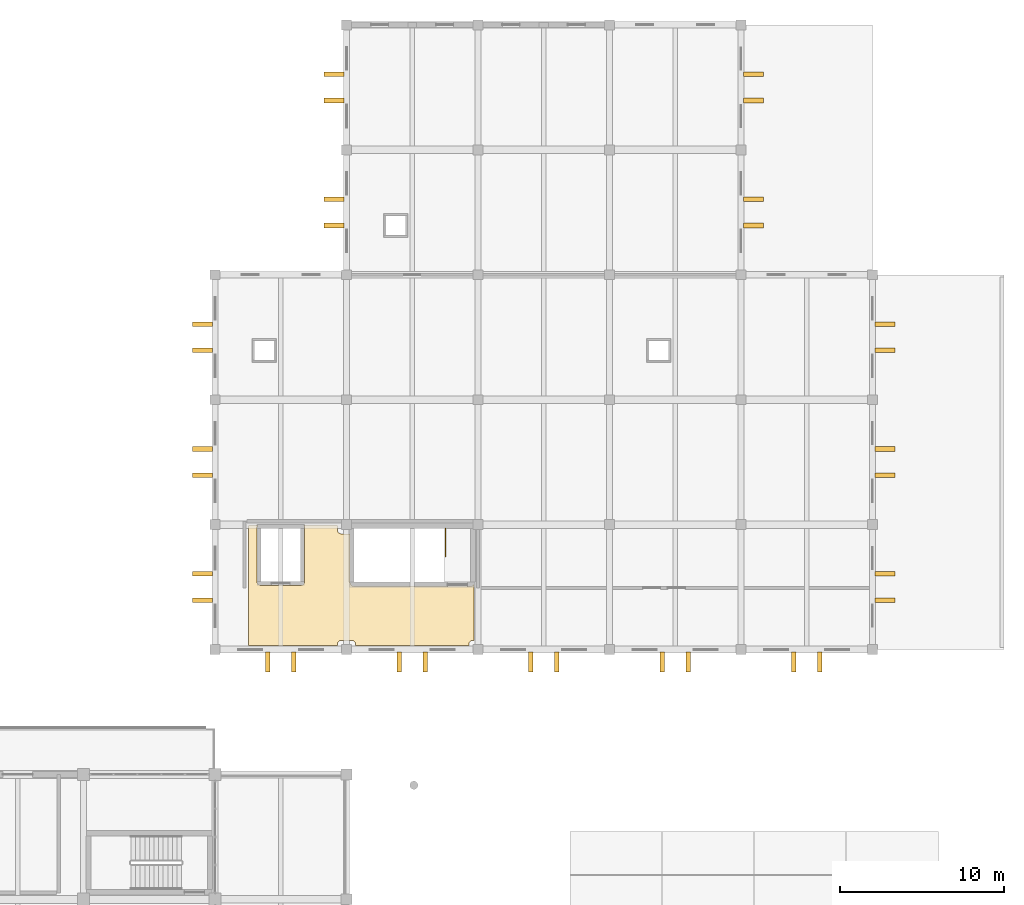
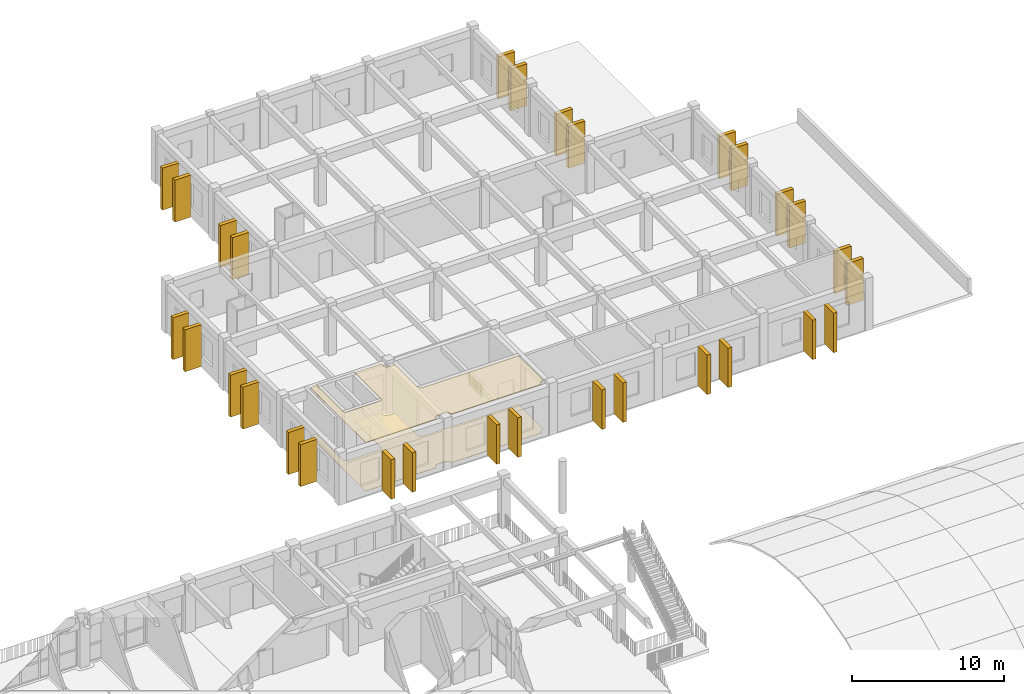
# One storey, part 63 of 63: 30 shading devices, 2 coverings, 1 railing.
"""IFC4 building model written with IfcOpenShell, lengths in metres."""

from ifc_helpers import new_model, si_unit, direction, frame, origin, origin_2d, place, context, subcontext, project, spatial, polyline, rectangle, circle, outline, extrude, material, layer, layer_set, type_object, element, save


model = new_model("IFC4")

# Units and contexts
model_context = context("Model", 3, precision=1e-05, world=origin(), true_north=direction((0.0, 1.0)))
body_context = subcontext(model_context, "Body", "Model", "MODEL_VIEW")
ifc_project = project(units=[si_unit("LENGTHUNIT", "METRE"), si_unit("AREAUNIT", "SQUARE_METRE"), si_unit("VOLUMEUNIT", "CUBIC_METRE"), si_unit("PLANEANGLEUNIT", "RADIAN"), si_unit("MASSUNIT", "GRAM", prefix="KILO")], contexts=[model_context])

# Site, building, storey
site_placement = place(None, origin())
site = spatial("IfcSite", under=ifc_project, at=site_placement, CompositionType="ELEMENT")
building_placement = place(site_placement, origin())
building = spatial("IfcBuilding", under=site, at=building_placement, Name="Zantavel Square City Hall", CompositionType="ELEMENT")
storey_placement = place(building_placement, frame((0.0, 0.0, 14.699951171875)))
storey = spatial("IfcBuildingStorey", under=building, at=storey_placement, Name="L04", CompositionType="ELEMENT", Elevation=14.699951171875)

# Railing
ifc_material_1 = material(Name="Steel ASTM A500 Grade B", Category="steel")
railing_type = type_object("IfcRailingType", Name="Atrium & Gallery Steel Guard Railing 1100mm", PredefinedType="GUARDRAIL", material=ifc_material_1)
railing_placement = place(storey_placement, frame((118.02001953125, 83.3701171875, 0.0)))
element("IfcRailing", 1, at=railing_placement, inside=storey, type_object=railing_type, Name="L04 ST2 top well guard 1", PredefinedType="GUARDRAIL", context=body_context, shape_type="SweptSolid", body=[
    extrude(circle(Radius=0.02392578125, at=origin_2d()), frame((0.0, 0.0, 1.076171875), z_axis=(0.0, -1.0, 0.0), x_axis=(1.0, 0.0, 0.0)), (0.0, 0.0, 1.0), 1.710205078125),
    extrude(rectangle(XDim=0.031982421875, YDim=0.031982421875, at=origin_2d()), frame((0.0, 0.0, 0.080078125), z_axis=(0.0, -1.0, 0.0), x_axis=(1.0, 0.0, 0.0)), (0.0, 0.0, 1.0), 1.710205078125),
    extrude(rectangle(XDim=0.02197265625, YDim=0.02197265625, at=origin_2d()), frame((0.0, -0.08544921875, 0.080078125)), (0.0, 0.0, 1.0), 0.971923828125),
    extrude(rectangle(XDim=0.02197265625, YDim=0.02197265625, at=origin_2d()), frame((0.0, -0.1708984375, 0.080078125)), (0.0, 0.0, 1.0), 0.971923828125),
    extrude(rectangle(XDim=0.02197265625, YDim=0.02197265625, at=origin_2d()), frame((0.0, -0.256591796875, 0.080078125)), (0.0, 0.0, 1.0), 0.971923828125),
    extrude(rectangle(XDim=0.02197265625, YDim=0.02197265625, at=origin_2d()), frame((0.0, -0.342041015625, 0.080078125)), (0.0, 0.0, 1.0), 0.971923828125),
    extrude(rectangle(XDim=0.02197265625, YDim=0.02197265625, at=origin_2d()), frame((0.0, -0.427490234375, 0.080078125)), (0.0, 0.0, 1.0), 0.971923828125),
    extrude(rectangle(XDim=0.02197265625, YDim=0.02197265625, at=origin_2d()), frame((0.0, -0.51318359375, 0.080078125)), (0.0, 0.0, 1.0), 0.971923828125),
    extrude(rectangle(XDim=0.02197265625, YDim=0.02197265625, at=origin_2d()), frame((0.0, -0.5986328125, 0.080078125)), (0.0, 0.0, 1.0), 0.971923828125),
    extrude(rectangle(XDim=0.02197265625, YDim=0.02197265625, at=origin_2d()), frame((0.0, -0.68408203125, 0.080078125)), (0.0, 0.0, 1.0), 0.971923828125),
    extrude(rectangle(XDim=0.02197265625, YDim=0.02197265625, at=origin_2d()), frame((0.0, -0.76953125, 0.080078125)), (0.0, 0.0, 1.0), 0.971923828125),
    extrude(rectangle(XDim=0.02197265625, YDim=0.02197265625, at=origin_2d()), frame((0.0, -0.940673828125, 0.080078125)), (0.0, 0.0, 1.0), 0.971923828125),
    extrude(rectangle(XDim=0.02197265625, YDim=0.02197265625, at=origin_2d()), frame((0.0, -1.026123046875, 0.080078125)), (0.0, 0.0, 1.0), 0.971923828125),
    extrude(rectangle(XDim=0.02197265625, YDim=0.02197265625, at=origin_2d()), frame((0.0, -1.111572265625, 0.080078125)), (0.0, 0.0, 1.0), 0.971923828125),
    extrude(rectangle(XDim=0.02197265625, YDim=0.02197265625, at=origin_2d()), frame((0.0, -1.197265625, 0.080078125)), (0.0, 0.0, 1.0), 0.971923828125),
    extrude(rectangle(XDim=0.02197265625, YDim=0.02197265625, at=origin_2d()), frame((0.0, -1.28271484375, 0.080078125)), (0.0, 0.0, 1.0), 0.971923828125),
    extrude(rectangle(XDim=0.02197265625, YDim=0.02197265625, at=origin_2d()), frame((0.0, -1.3681640625, 0.080078125)), (0.0, 0.0, 1.0), 0.971923828125),
    extrude(rectangle(XDim=0.02197265625, YDim=0.02197265625, at=origin_2d()), frame((0.0, -1.45361328125, 0.080078125)), (0.0, 0.0, 1.0), 0.971923828125),
    extrude(rectangle(XDim=0.02197265625, YDim=0.02197265625, at=origin_2d()), frame((0.0, -1.5390625, 0.080078125)), (0.0, 0.0, 1.0), 0.971923828125),
    extrude(rectangle(XDim=0.02197265625, YDim=0.02197265625, at=origin_2d()), frame((0.0, -1.624755859375, 0.080078125)), (0.0, 0.0, 1.0), 0.971923828125),
    extrude(circle(Radius=0.02099609375, at=origin_2d()), origin(), (0.0, 0.0, 1.0), 1.052001953125),
    extrude(circle(Radius=0.02099609375, at=origin_2d()), frame((0.0, -0.85498046875, 0.0)), (0.0, 0.0, 1.0), 1.052001953125),
    extrude(circle(Radius=0.02099609375, at=origin_2d()), frame((0.0, -1.710205078125, 0.0)), (0.0, 0.0, 1.0), 1.052001953125),
])

# Shading devices
ifc_material_2 = material(Name="Cantera volcanic tuff stone", Category="masonry")
shading_device_type = type_object("IfcShadingDeviceType", Name="Cantera Vertical Solar Shading Pier 280x1240", PredefinedType="USERDEFINED", material=ifc_material_2)
for number, where, z_axis, x_axis, name in (
    (2, (111.239990234375, 101.800048828125, 0.0), (0.0, 0.0, 1.0), (1.0, 0.0, 0.0), "L04 Cantera Solar Pier 061"),
    (3, (111.239990234375, 103.39990234375, 0.0), (0.0, 0.0, 1.0), (1.0, 0.0, 0.0), "L04 Cantera Solar Pier 062"),
    (4, (111.239990234375, 109.39990234375, 0.0), (0.0, 0.0, 1.0), (1.0, 0.0, 0.0), "L04 Cantera Solar Pier 063"),
    (5, (111.239990234375, 111.0, 0.0), (0.0, 0.0, 1.0), (1.0, 0.0, 0.0), "L04 Cantera Solar Pier 064"),
    (6, (136.760009765625, 111.0, 0.0), (0.0, 0.0, 1.0), (1.0, 0.0, 0.0), "L04 Cantera Solar Pier 065"),
    (7, (136.760009765625, 109.39990234375, 0.0), (0.0, 0.0, 1.0), (1.0, 0.0, 0.0), "L04 Cantera Solar Pier 066"),
    (8, (136.760009765625, 103.39990234375, 0.0), (0.0, 0.0, 1.0), (1.0, 0.0, 0.0), "L04 Cantera Solar Pier 067"),
    (9, (136.760009765625, 101.800048828125, 0.0), (0.0, 0.0, 1.0), (1.0, 0.0, 0.0), "L04 Cantera Solar Pier 068"),
    (10, (144.760009765625, 95.800048828125, 0.0), (0.0, 0.0, 1.0), (1.0, 0.0, 0.0), "L04 Cantera Solar Pier 069"),
    (11, (144.760009765625, 94.199951171875, 0.0), (0.0, 0.0, 1.0), (1.0, 0.0, 0.0), "L04 Cantera Solar Pier 070"),
    (12, (144.760009765625, 88.199951171875, 0.0), (0.0, 0.0, 1.0), (1.0, 0.0, 0.0), "L04 Cantera Solar Pier 071"),
    (13, (144.760009765625, 86.60009765625, 0.0), (0.0, 0.0, 1.0), (1.0, 0.0, 0.0), "L04 Cantera Solar Pier 072"),
    (14, (144.760009765625, 80.60009765625, 0.0), (0.0, 0.0, 1.0), (1.0, 0.0, 0.0), "L04 Cantera Solar Pier 073"),
    (15, (144.760009765625, 79.0, 0.0), (0.0, 0.0, 1.0), (1.0, 0.0, 0.0), "L04 Cantera Solar Pier 074"),
):
    element("IfcShadingDevice", number, at=place(storey_placement, frame(where, z_axis=z_axis, x_axis=x_axis)), inside=storey, type_object=shading_device_type, Name=name, ObjectType="FIN", PredefinedType="USERDEFINED", context=body_context, shape_type="SweptSolid", body=[
        extrude(rectangle(XDim=1.239990234375, YDim=0.280029296875, at=origin_2d()), origin(), (0.0, 0.0, 1.0), 3.3701171875),
    ])
for number, where, z_axis, x_axis, name in (
    (16, (140.800048828125, 75.239990234375, 0.0), (0.0, 0.0, 1.0), (1.0, 0.0, 0.0), "L04 Cantera Solar Pier 075"),
    (17, (139.199951171875, 75.239990234375, 0.0), (0.0, 0.0, 1.0), (1.0, 0.0, 0.0), "L04 Cantera Solar Pier 076"),
    (18, (132.800048828125, 75.239990234375, 0.0), (0.0, 0.0, 1.0), (1.0, 0.0, 0.0), "L04 Cantera Solar Pier 077"),
    (19, (131.199951171875, 75.239990234375, 0.0), (0.0, 0.0, 1.0), (1.0, 0.0, 0.0), "L04 Cantera Solar Pier 078"),
    (20, (124.800048828125, 75.239990234375, 0.0), (0.0, 0.0, 1.0), (1.0, 0.0, 0.0), "L04 Cantera Solar Pier 079"),
    (21, (123.199951171875, 75.239990234375, 0.0), (0.0, 0.0, 1.0), (1.0, 0.0, 0.0), "L04 Cantera Solar Pier 080"),
    (22, (116.800048828125, 75.239990234375, 0.0), (0.0, 0.0, 1.0), (1.0, 0.0, 0.0), "L04 Cantera Solar Pier 081"),
    (23, (115.199951171875, 75.239990234375, 0.0), (0.0, 0.0, 1.0), (1.0, 0.0, 0.0), "L04 Cantera Solar Pier 082"),
    (24, (108.800048828125, 75.239990234375, 0.0), (0.0, 0.0, 1.0), (1.0, 0.0, 0.0), "L04 Cantera Solar Pier 083"),
    (25, (107.199951171875, 75.239990234375, 0.0), (0.0, 0.0, 1.0), (1.0, 0.0, 0.0), "L04 Cantera Solar Pier 084"),
):
    element("IfcShadingDevice", number, at=place(storey_placement, frame(where, z_axis=z_axis, x_axis=x_axis)), inside=storey, type_object=shading_device_type, Name=name, ObjectType="FIN", PredefinedType="USERDEFINED", context=body_context, shape_type="SweptSolid", body=[
        extrude(rectangle(XDim=0.280029296875, YDim=1.239990234375, at=origin_2d()), origin(), (0.0, 0.0, 1.0), 3.169921875),
    ])
for number, where, z_axis, x_axis, name in (
    (26, (103.239990234375, 79.0, 0.0), (0.0, 0.0, 1.0), (1.0, 0.0, 0.0), "L04 Cantera Solar Pier 085"),
    (27, (103.239990234375, 80.60009765625, 0.0), (0.0, 0.0, 1.0), (1.0, 0.0, 0.0), "L04 Cantera Solar Pier 086"),
    (28, (103.239990234375, 86.60009765625, 0.0), (0.0, 0.0, 1.0), (1.0, 0.0, 0.0), "L04 Cantera Solar Pier 087"),
    (29, (103.239990234375, 88.199951171875, 0.0), (0.0, 0.0, 1.0), (1.0, 0.0, 0.0), "L04 Cantera Solar Pier 088"),
    (30, (103.239990234375, 94.199951171875, 0.0), (0.0, 0.0, 1.0), (1.0, 0.0, 0.0), "L04 Cantera Solar Pier 089"),
    (31, (103.239990234375, 95.800048828125, 0.0), (0.0, 0.0, 1.0), (1.0, 0.0, 0.0), "L04 Cantera Solar Pier 090"),
):
    element("IfcShadingDevice", number, at=place(storey_placement, frame(where, z_axis=z_axis, x_axis=x_axis)), inside=storey, type_object=shading_device_type, Name=name, ObjectType="FIN", PredefinedType="USERDEFINED", context=body_context, shape_type="SweptSolid", body=[
        extrude(rectangle(XDim=1.239990234375, YDim=0.280029296875, at=origin_2d()), origin(), (0.0, 0.0, 1.0), 3.3701171875),
    ])

# Coverings
ifc_material_3 = material(Name="Terrazzo stone finish", Category="masonry")
ifc_layer_1 = layer(ifc_material_3, 0.02001953125, Name="Terrazzo stone finish")
ifc_layer_set_1 = layer_set([ifc_layer_1], Name="Terrazzo stone finish")
covering_type_1 = type_object("IfcCoveringType", Name="Honed Cantera-Terrazzo Civic Flooring 20mm", PredefinedType="FLOORING", material=ifc_layer_set_1)
covering_1_placement = place(storey_placement, origin())
element("IfcCovering", 32, at=covering_1_placement, inside=storey, type_object=covering_type_1, Name="L04 L04 North-East Lift Lobby Terrazzo Flooring", PredefinedType="FLOORING", context=body_context, shape_type="SweptSolid", body=[
    extrude(outline(polyline([(106.623291015625, 83.52685546875), (106.606689453125, 83.508544921875), (106.592041015625, 83.489013671875), (106.57958984375, 83.4677734375), (106.569091796875, 83.44580078125), (106.560791015625, 83.422607421875), (106.5546875, 83.398681640625), (106.55126953125, 83.37451171875), (106.550048828125, 83.35009765625), (106.550048828125, 80.14990234375), (106.55126953125, 80.12548828125), (106.5546875, 80.101318359375), (106.560791015625, 80.077392578125), (106.569091796875, 80.05419921875), (106.57958984375, 80.0322265625), (106.592041015625, 80.010986328125), (106.606689453125, 79.991455078125), (106.623291015625, 79.97314453125), (106.641357421875, 79.956787109375), (106.6611328125, 79.942138671875), (106.68212890625, 79.929443359375), (106.704345703125, 79.9189453125), (106.727294921875, 79.910888671875), (106.751220703125, 79.90478515625), (106.775390625, 79.901123046875), (106.800048828125, 79.89990234375), (109.199951171875, 79.89990234375), (109.224609375, 79.901123046875), (109.248779296875, 79.90478515625), (109.272705078125, 79.910888671875), (109.295654296875, 79.9189453125), (109.31787109375, 79.929443359375), (109.3388671875, 79.942138671875), (109.358642578125, 79.956787109375), (109.376708984375, 79.97314453125), (109.393310546875, 79.991455078125), (109.407958984375, 80.010986328125), (109.42041015625, 80.0322265625), (109.430908203125, 80.05419921875), (109.439208984375, 80.077392578125), (109.4453125, 80.101318359375), (109.44873046875, 80.12548828125), (109.449951171875, 80.14990234375), (109.449951171875, 83.35009765625), (109.44873046875, 83.37451171875), (109.4453125, 83.398681640625), (109.439208984375, 83.422607421875), (109.430908203125, 83.44580078125), (109.42041015625, 83.4677734375), (109.407958984375, 83.489013671875), (109.393310546875, 83.508544921875), (109.376708984375, 83.52685546875), (109.358642578125, 83.543212890625), (109.349609375, 83.550048828125), (111.43994140625, 83.550048828125), (111.43994140625, 83.2900390625), (111.441162109375, 83.265380859375), (111.44482421875, 83.2412109375), (111.45068359375, 83.21728515625), (111.458984375, 83.1943359375), (111.469482421875, 83.172119140625), (111.482177734375, 83.151123046875), (111.49658203125, 83.13134765625), (111.51318359375, 83.11328125), (111.531494140625, 83.0966796875), (111.551025390625, 83.08203125), (111.572265625, 83.069580078125), (111.59423828125, 83.05908203125), (111.617431640625, 83.05078125), (111.64111328125, 83.044921875), (111.66552734375, 83.041259765625), (111.68994140625, 83.0400390625), (112.219970703125, 83.0400390625), (112.219970703125, 80.10009765625), (112.22119140625, 80.075439453125), (112.224853515625, 80.05126953125), (112.230712890625, 80.02734375), (112.239013671875, 80.00439453125), (112.24951171875, 79.982177734375), (112.26220703125, 79.961181640625), (112.276611328125, 79.94140625), (112.293212890625, 79.923095703125), (112.311279296875, 79.90673828125), (112.3310546875, 79.89208984375), (112.352294921875, 79.87939453125), (112.374267578125, 79.868896484375), (112.3974609375, 79.86083984375), (112.421142578125, 79.854736328125), (112.445556640625, 79.851318359375), (112.469970703125, 79.85009765625), (119.530029296875, 79.85009765625), (119.554443359375, 79.851318359375), (119.578857421875, 79.854736328125), (119.6025390625, 79.86083984375), (119.625732421875, 79.868896484375), (119.647705078125, 79.87939453125), (119.6689453125, 79.89208984375), (119.688720703125, 79.90673828125), (119.706787109375, 79.923095703125), (119.723388671875, 79.94140625), (119.73779296875, 79.961181640625), (119.75, 79.981201171875), (119.75, 76.56005859375), (119.68994140625, 76.56005859375), (119.66552734375, 76.558837890625), (119.64111328125, 76.55517578125), (119.617431640625, 76.54931640625), (119.59423828125, 76.541015625), (119.572265625, 76.530517578125), (119.551025390625, 76.517822265625), (119.531494140625, 76.50341796875), (119.51318359375, 76.48681640625), (119.49658203125, 76.468505859375), (119.482177734375, 76.448974609375), (119.469482421875, 76.427734375), (119.458984375, 76.40576171875), (119.45068359375, 76.382568359375), (119.44482421875, 76.35888671875), (119.441162109375, 76.33447265625), (119.43994140625, 76.31005859375), (119.43994140625, 76.25), (112.56005859375, 76.25), (112.56005859375, 76.31005859375), (112.558837890625, 76.33447265625), (112.55517578125, 76.35888671875), (112.54931640625, 76.382568359375), (112.541015625, 76.40576171875), (112.530517578125, 76.427734375), (112.517822265625, 76.448974609375), (112.50341796875, 76.468505859375), (112.48681640625, 76.48681640625), (112.468505859375, 76.50341796875), (112.448974609375, 76.517822265625), (112.427734375, 76.530517578125), (112.40576171875, 76.541015625), (112.382568359375, 76.54931640625), (112.35888671875, 76.55517578125), (112.33447265625, 76.558837890625), (112.31005859375, 76.56005859375), (111.68994140625, 76.56005859375), (111.66552734375, 76.558837890625), (111.64111328125, 76.55517578125), (111.617431640625, 76.54931640625), (111.59423828125, 76.541015625), (111.572265625, 76.530517578125), (111.551025390625, 76.517822265625), (111.531494140625, 76.50341796875), (111.51318359375, 76.48681640625), (111.49658203125, 76.468505859375), (111.482177734375, 76.448974609375), (111.469482421875, 76.427734375), (111.458984375, 76.40576171875), (111.45068359375, 76.382568359375), (111.44482421875, 76.35888671875), (111.441162109375, 76.33447265625), (111.43994140625, 76.31005859375), (111.43994140625, 76.25), (106.050048828125, 76.25), (106.050048828125, 83.550048828125), (106.650390625, 83.550048828125), (106.641357421875, 83.543212890625), (106.623291015625, 83.52685546875)])), origin(), (0.0, 0.0, 1.0), 0.02001953125),
])
ifc_material_4 = material(Name="Gypsum acoustic stud assembly", Category="masonry")
ifc_layer_2 = layer(ifc_material_4, 0.02490234375, Name="Gypsum acoustic stud assembly")
ifc_layer_set_2 = layer_set([ifc_layer_2], Name="Gypsum acoustic stud assembly")
covering_type_2 = type_object("IfcCoveringType", Name="Perforated Gypsum Acoustic Ceiling 25mm", PredefinedType="CEILING", material=ifc_layer_set_2)
covering_2_placement = place(storey_placement, frame((0.0, 0.0, 3.905029296875)))
element("IfcCovering", 33, at=covering_2_placement, inside=storey, type_object=covering_type_2, Name="L04 L04 North-East Lift Lobby Acoustic Ceiling", PredefinedType="CEILING", context=body_context, shape_type="SweptSolid", body=[
    extrude(outline(polyline([(106.623291015625, 83.52685546875), (106.606689453125, 83.508544921875), (106.592041015625, 83.489013671875), (106.57958984375, 83.4677734375), (106.569091796875, 83.44580078125), (106.560791015625, 83.422607421875), (106.5546875, 83.398681640625), (106.55126953125, 83.37451171875), (106.550048828125, 83.35009765625), (106.550048828125, 80.14990234375), (106.55126953125, 80.12548828125), (106.5546875, 80.101318359375), (106.560791015625, 80.077392578125), (106.569091796875, 80.05419921875), (106.57958984375, 80.0322265625), (106.592041015625, 80.010986328125), (106.606689453125, 79.991455078125), (106.623291015625, 79.97314453125), (106.641357421875, 79.956787109375), (106.6611328125, 79.942138671875), (106.68212890625, 79.929443359375), (106.704345703125, 79.9189453125), (106.727294921875, 79.910888671875), (106.751220703125, 79.90478515625), (106.775390625, 79.901123046875), (106.800048828125, 79.89990234375), (109.199951171875, 79.89990234375), (109.224609375, 79.901123046875), (109.248779296875, 79.90478515625), (109.272705078125, 79.910888671875), (109.295654296875, 79.9189453125), (109.31787109375, 79.929443359375), (109.3388671875, 79.942138671875), (109.358642578125, 79.956787109375), (109.376708984375, 79.97314453125), (109.393310546875, 79.991455078125), (109.407958984375, 80.010986328125), (109.42041015625, 80.0322265625), (109.430908203125, 80.05419921875), (109.439208984375, 80.077392578125), (109.4453125, 80.101318359375), (109.44873046875, 80.12548828125), (109.449951171875, 80.14990234375), (109.449951171875, 83.35009765625), (109.44873046875, 83.37451171875), (109.4453125, 83.398681640625), (109.439208984375, 83.422607421875), (109.430908203125, 83.44580078125), (109.42041015625, 83.4677734375), (109.407958984375, 83.489013671875), (109.393310546875, 83.508544921875), (109.376708984375, 83.52685546875), (109.358642578125, 83.543212890625), (109.349609375, 83.550048828125), (111.43994140625, 83.550048828125), (111.43994140625, 83.2900390625), (111.441162109375, 83.265380859375), (111.44482421875, 83.2412109375), (111.45068359375, 83.21728515625), (111.458984375, 83.1943359375), (111.469482421875, 83.172119140625), (111.482177734375, 83.151123046875), (111.49658203125, 83.13134765625), (111.51318359375, 83.11328125), (111.531494140625, 83.0966796875), (111.551025390625, 83.08203125), (111.572265625, 83.069580078125), (111.59423828125, 83.05908203125), (111.617431640625, 83.05078125), (111.64111328125, 83.044921875), (111.66552734375, 83.041259765625), (111.68994140625, 83.0400390625), (112.219970703125, 83.0400390625), (112.219970703125, 80.10009765625), (112.22119140625, 80.075439453125), (112.224853515625, 80.05126953125), (112.230712890625, 80.02734375), (112.239013671875, 80.00439453125), (112.24951171875, 79.982177734375), (112.26220703125, 79.961181640625), (112.276611328125, 79.94140625), (112.293212890625, 79.923095703125), (112.311279296875, 79.90673828125), (112.3310546875, 79.89208984375), (112.352294921875, 79.87939453125), (112.374267578125, 79.868896484375), (112.3974609375, 79.86083984375), (112.421142578125, 79.854736328125), (112.445556640625, 79.851318359375), (112.469970703125, 79.85009765625), (119.530029296875, 79.85009765625), (119.554443359375, 79.851318359375), (119.578857421875, 79.854736328125), (119.6025390625, 79.86083984375), (119.625732421875, 79.868896484375), (119.647705078125, 79.87939453125), (119.6689453125, 79.89208984375), (119.688720703125, 79.90673828125), (119.706787109375, 79.923095703125), (119.723388671875, 79.94140625), (119.73779296875, 79.961181640625), (119.75, 79.981201171875), (119.75, 76.56005859375), (119.68994140625, 76.56005859375), (119.66552734375, 76.558837890625), (119.64111328125, 76.55517578125), (119.617431640625, 76.54931640625), (119.59423828125, 76.541015625), (119.572265625, 76.530517578125), (119.551025390625, 76.517822265625), (119.531494140625, 76.50341796875), (119.51318359375, 76.48681640625), (119.49658203125, 76.468505859375), (119.482177734375, 76.448974609375), (119.469482421875, 76.427734375), (119.458984375, 76.40576171875), (119.45068359375, 76.382568359375), (119.44482421875, 76.35888671875), (119.441162109375, 76.33447265625), (119.43994140625, 76.31005859375), (119.43994140625, 76.25), (112.56005859375, 76.25), (112.56005859375, 76.31005859375), (112.558837890625, 76.33447265625), (112.55517578125, 76.35888671875), (112.54931640625, 76.382568359375), (112.541015625, 76.40576171875), (112.530517578125, 76.427734375), (112.517822265625, 76.448974609375), (112.50341796875, 76.468505859375), (112.48681640625, 76.48681640625), (112.468505859375, 76.50341796875), (112.448974609375, 76.517822265625), (112.427734375, 76.530517578125), (112.40576171875, 76.541015625), (112.382568359375, 76.54931640625), (112.35888671875, 76.55517578125), (112.33447265625, 76.558837890625), (112.31005859375, 76.56005859375), (111.68994140625, 76.56005859375), (111.66552734375, 76.558837890625), (111.64111328125, 76.55517578125), (111.617431640625, 76.54931640625), (111.59423828125, 76.541015625), (111.572265625, 76.530517578125), (111.551025390625, 76.517822265625), (111.531494140625, 76.50341796875), (111.51318359375, 76.48681640625), (111.49658203125, 76.468505859375), (111.482177734375, 76.448974609375), (111.469482421875, 76.427734375), (111.458984375, 76.40576171875), (111.45068359375, 76.382568359375), (111.44482421875, 76.35888671875), (111.441162109375, 76.33447265625), (111.43994140625, 76.31005859375), (111.43994140625, 76.25), (106.050048828125, 76.25), (106.050048828125, 83.550048828125), (106.650390625, 83.550048828125), (106.641357421875, 83.543212890625), (106.623291015625, 83.52685546875)])), origin(), (0.0, 0.0, 1.0), 0.02490234375),
])

save(model, "model.ifc")
